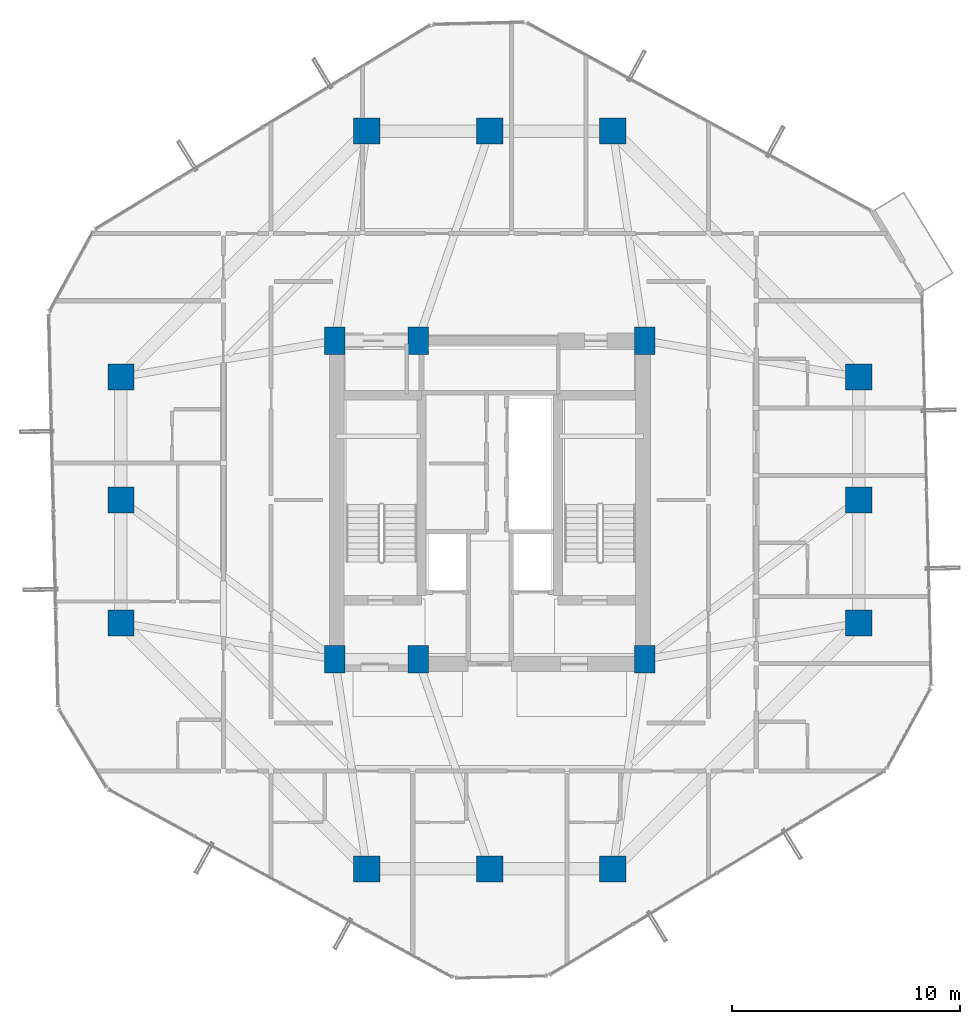
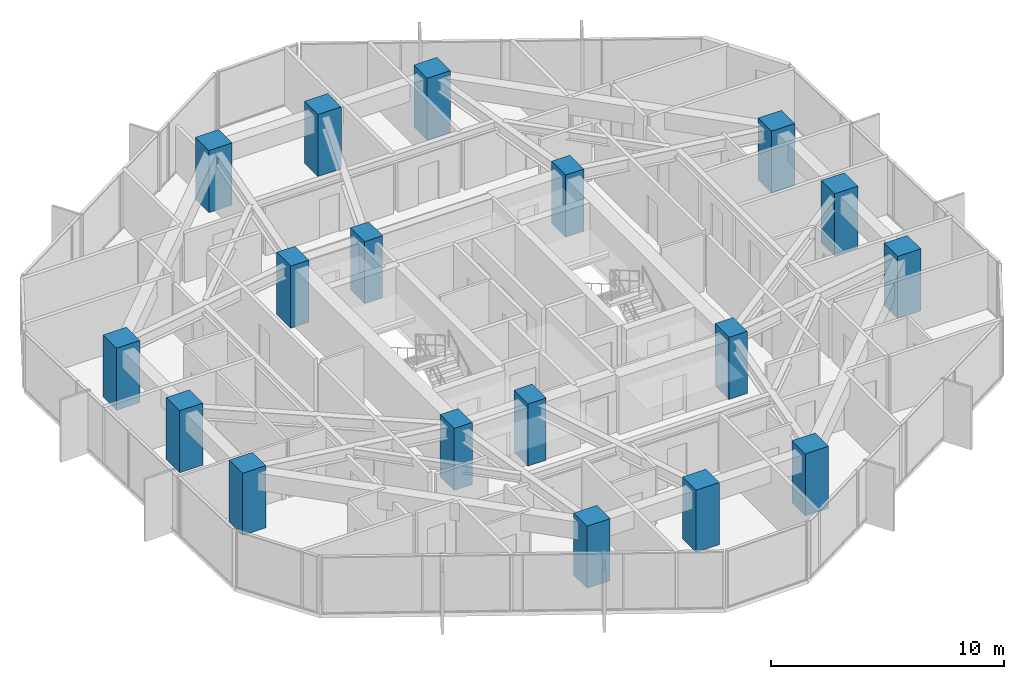
# One storey, part 1 of 31: 18 columns.
"""IFC4 building model written with IfcOpenShell, lengths in metres."""

from ifc_helpers import new_model, si_unit, direction, frame, origin, origin_2d, place, context, subcontext, project, spatial, rectangle, extrude, material, material_profile, profile_set, type_object, element, save


model = new_model("IFC4")

# Units and contexts
model_context = context("Model", 3, precision=1e-05, world=origin(), true_north=direction((0.0, 1.0)))
body_context = subcontext(model_context, "Body", "Model", "MODEL_VIEW")
ifc_project = project(units=[si_unit("LENGTHUNIT", "METRE"), si_unit("AREAUNIT", "SQUARE_METRE"), si_unit("VOLUMEUNIT", "CUBIC_METRE"), si_unit("PLANEANGLEUNIT", "RADIAN"), si_unit("MASSUNIT", "GRAM", prefix="KILO")], contexts=[model_context])

# Site, building, storey
site_placement = place(None, origin())
site = spatial("IfcSite", under=ifc_project, at=site_placement, CompositionType="ELEMENT")
building_placement = place(site_placement, origin())
building = spatial("IfcBuilding", under=site, at=building_placement, Name="Veraguas Prism Commons", CompositionType="ELEMENT")
storey_placement = place(building_placement, frame((0.0, 0.0, 132.75)))
storey = spatial("IfcBuildingStorey", under=building, at=storey_placement, Name="L37", CompositionType="ELEMENT", Elevation=132.75)

# Columns
ifc_material = material(Name="Concrete C60/75", Category="concrete")
ifc_material_profile_1 = material_profile(ifc_material, rectangle(XDim=1.14990234375, YDim=1.14990234375, at=origin_2d()), Name="RC1150X1150")
ifc_profile_set_1 = profile_set([ifc_material_profile_1], Name="Concrete C60/75")
column_type_1 = type_object("IfcColumnType", Name="Column Tube Z2 RC 1150x1150", PredefinedType="COLUMN", material=ifc_profile_set_1)
for number, where, z_axis, x_axis, name in (
    (1, (40.199951171875, 18.60009765625, 0.0), (0.0, 0.0, 1.0), (1.0, 0.0, 0.0), "Tower Perimeter Column L37-TB01"),
    (2, (40.199951171875, 24.0, 0.0), (0.0, 0.0, 1.0), (1.0, 0.0, 0.0), "Tower Perimeter Column L37-TB02"),
    (3, (40.199951171875, 29.39990234375, 0.0), (0.0, 0.0, 1.0), (1.0, 0.0, 0.0), "Tower Perimeter Column L37-TB03"),
    (4, (29.39990234375, 40.199951171875, 0.0), (0.0, 0.0, 1.0), (1.0, 0.0, 0.0), "Tower Perimeter Column L37-TB04"),
    (5, (24.0, 40.199951171875, 0.0), (0.0, 0.0, 1.0), (1.0, 0.0, 0.0), "Tower Perimeter Column L37-TB05"),
    (6, (18.60009765625, 40.199951171875, 0.0), (0.0, 0.0, 1.0), (1.0, 0.0, 0.0), "Tower Perimeter Column L37-TB06"),
    (7, (7.800048828125, 29.39990234375, 0.0), (0.0, 0.0, 1.0), (1.0, 0.0, 0.0), "Tower Perimeter Column L37-TB07"),
    (8, (7.800048828125, 24.0, 0.0), (0.0, 0.0, 1.0), (1.0, 0.0, 0.0), "Tower Perimeter Column L37-TB08"),
    (9, (7.800048828125, 18.60009765625, 0.0), (0.0, 0.0, 1.0), (1.0, 0.0, 0.0), "Tower Perimeter Column L37-TB09"),
    (10, (18.60009765625, 7.800048828125, 0.0), (0.0, 0.0, 1.0), (1.0, 0.0, 0.0), "Tower Perimeter Column L37-TB10"),
    (11, (24.0, 7.800048828125, 0.0), (0.0, 0.0, 1.0), (1.0, 0.0, 0.0), "Tower Perimeter Column L37-TB11"),
    (12, (29.39990234375, 7.800048828125, 0.0), (0.0, 0.0, 1.0), (1.0, 0.0, 0.0), "Tower Perimeter Column L37-TB12"),
):
    element("IfcColumn", number, at=place(storey_placement, frame(where, z_axis=z_axis, x_axis=x_axis)), inside=storey, type_object=column_type_1, Name=name, PredefinedType="COLUMN", context=body_context, shape_type="SweptSolid", body=[
        extrude(rectangle(XDim=1.14990234375, YDim=1.14990234375, at=origin_2d()), origin(), (0.0, 0.0, 1.0), 3.25),
    ])
ifc_material_profile_2 = material_profile(ifc_material, rectangle(XDim=0.89990234375, YDim=1.199951171875, at=origin_2d()), Name="RC900X1200")
ifc_profile_set_2 = profile_set([ifc_material_profile_2], Name="Concrete C60/75")
column_type_2 = type_object("IfcColumnType", Name="Pilaster Core Lower RC 900x1200", PredefinedType="PILASTER", material=ifc_profile_set_2)
for number, where, z_axis, x_axis, name in (
    (13, (17.199951171875, 17.0, 0.0), (0.0, 0.0, 1.0), (1.0, 0.0, 0.0), "Core Pilaster Column L37-CR1"),
    (14, (20.85009765625, 17.0, 0.0), (0.0, 0.0, 1.0), (1.0, 0.0, 0.0), "Core Pilaster Column L37-CR2"),
    (15, (30.800048828125, 17.0, 0.0), (0.0, 0.0, 1.0), (1.0, 0.0, 0.0), "Core Pilaster Column L37-CR3"),
    (16, (17.199951171875, 31.0, 0.0), (0.0, 0.0, 1.0), (1.0, 0.0, 0.0), "Core Pilaster Column L37-CR4"),
    (17, (20.85009765625, 31.0, 0.0), (0.0, 0.0, 1.0), (1.0, 0.0, 0.0), "Core Pilaster Column L37-CR5"),
    (18, (30.800048828125, 31.0, 0.0), (0.0, 0.0, 1.0), (1.0, 0.0, 0.0), "Core Pilaster Column L37-CR6"),
):
    element("IfcColumn", number, at=place(storey_placement, frame(where, z_axis=z_axis, x_axis=x_axis)), inside=storey, type_object=column_type_2, Name=name, PredefinedType="PILASTER", context=body_context, shape_type="SweptSolid", body=[
        extrude(rectangle(XDim=0.89990234375, YDim=1.199951171875, at=origin_2d()), origin(), (0.0, 0.0, 1.0), 3.25),
    ])

save(model, "model.ifc")
